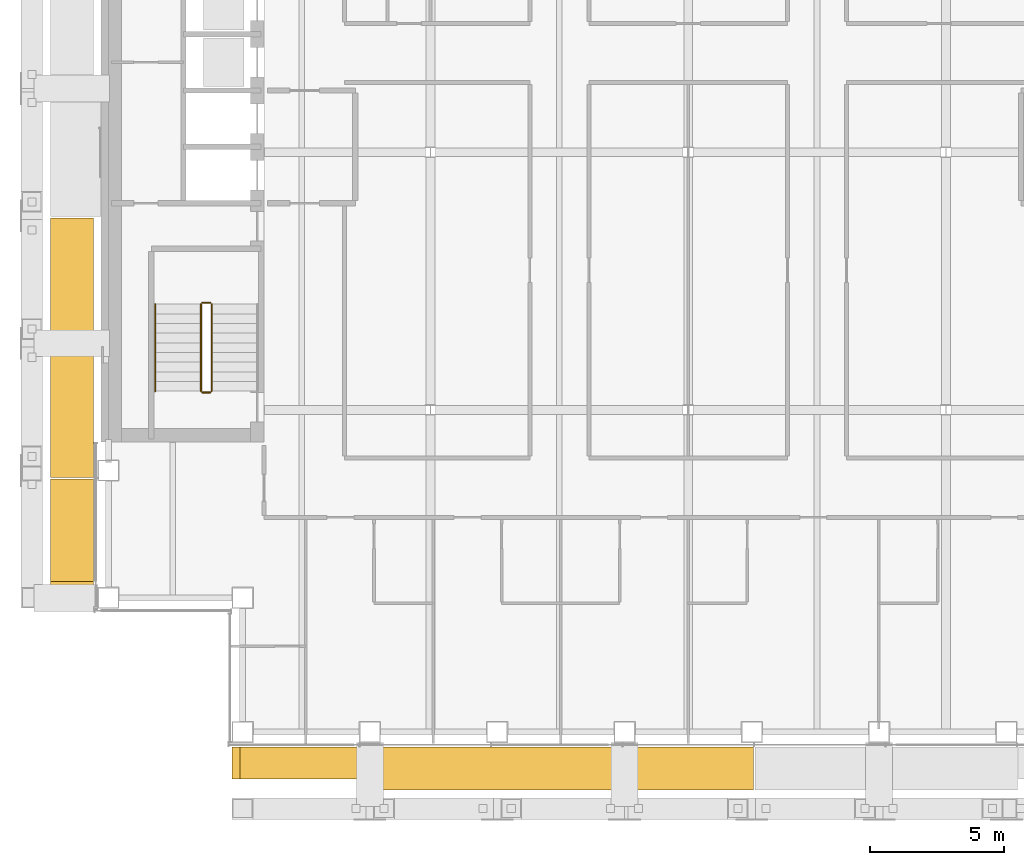
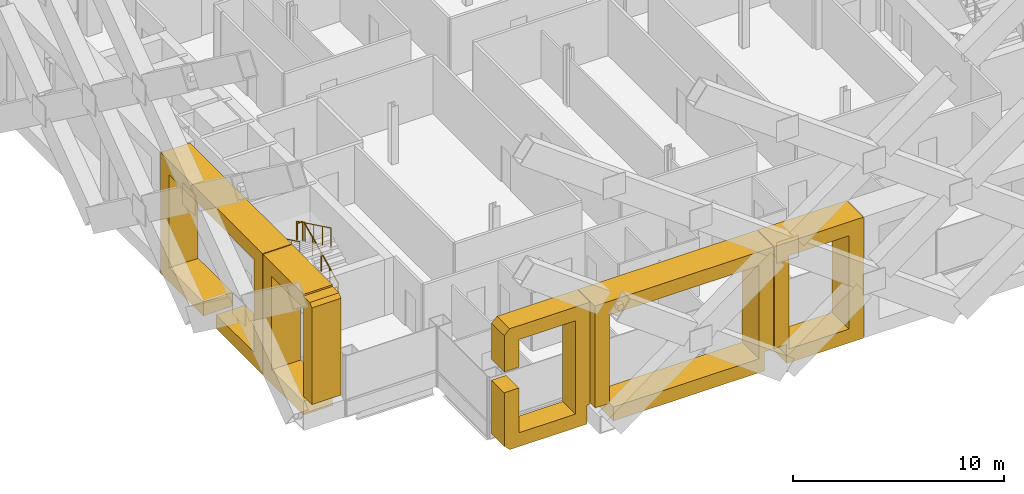
# One storey, part 18 of 25: 5 coverings, 5 railings.
"""IFC4 building model written with IfcOpenShell, lengths in metres."""

from ifc_helpers import new_model, si_unit, direction, frame, origin, origin_2d, place, context, subcontext, project, spatial, polyline, circle, outline, extrude, material, type_object, element, save


model = new_model("IFC4")

# Units and contexts
model_context = context("Model", 3, precision=1e-05, world=origin(), true_north=direction((0.0, 1.0)))
body_context = subcontext(model_context, "Body", "Model", "MODEL_VIEW")
ifc_project = project(units=[si_unit("LENGTHUNIT", "METRE"), si_unit("AREAUNIT", "SQUARE_METRE"), si_unit("VOLUMEUNIT", "CUBIC_METRE"), si_unit("PLANEANGLEUNIT", "RADIAN"), si_unit("MASSUNIT", "GRAM", prefix="KILO")], contexts=[model_context])

# Site, building, storey
site_placement = place(None, origin())
site = spatial("IfcSite", under=ifc_project, at=site_placement, CompositionType="ELEMENT")
building_placement = place(site_placement, origin())
building = spatial("IfcBuilding", under=site, at=building_placement, Name="Cobrizo Arcos Hotel Tower", CompositionType="ELEMENT")
storey_placement = place(building_placement, frame((0.0, 0.0, 148.0)))
storey = spatial("IfcBuildingStorey", under=building, at=storey_placement, Name="L37", CompositionType="ELEMENT", Elevation=148.0)

# Coverings
ifc_material_1 = material(Name="Aluminium 6063-T6 anodised bronze", Category="aluminium")
covering_type_1 = type_object("IfcCoveringType", Name="FIN-F 1200", PredefinedType="CLADDING", material=ifc_material_1)
covering_1_placement = place(storey_placement, frame((-17.0, -22.14990234375, 0.0), z_axis=(0.0, -1.0, 0.0), x_axis=(1.0, 0.0, 0.0)))
element("IfcCovering", 1, at=covering_1_placement, inside=storey, type_object=covering_type_1, Name="Fin frame 231", PredefinedType="CLADDING", context=body_context, shape_type="SweptSolid", body=[
    extrude(outline(polyline([(0.300048828125, 0.0), (4.541015625, 0.0), (4.541015625, 1.10205078125), (4.689208984375, 1.10205078125), (4.689208984375, 7.0), (0.300048828125, 7.0), (0.0, 6.699951171875), (0.0, 4.60205078125), (0.800048828125, 4.60205078125), (0.800048828125, 6.199951171875), (3.889404296875, 6.199951171875), (3.889404296875, 0.800048828125), (0.800048828125, 0.800048828125), (0.800048828125, 3.39794921875), (0.0, 3.39794921875), (0.0, 0.300048828125), (0.300048828125, 0.0)])), origin(), (0.0, 0.0, 1.0), 1.2001953125),
])
covering_type_2 = type_object("IfcCoveringType", Name="FIN-F 1600", PredefinedType="CLADDING", material=ifc_material_1)
covering_2_placement = place(storey_placement, frame((-12.2607421875, -22.14990234375, 0.0), z_axis=(0.0, -1.0, 0.0), x_axis=(1.0, 0.0, 0.0)))
element("IfcCovering", 2, at=covering_2_placement, inside=storey, type_object=covering_type_2, Name="Fin frame 232", PredefinedType="CLADDING", context=body_context, shape_type="SweptSolid", body=[
    extrude(outline(polyline([(1.005615234375, 0.0), (9.287353515625, 0.0), (9.287353515625, 1.10205078125), (9.778564453125, 1.10205078125), (9.778564453125, 7.0), (0.0, 7.0), (0.0, 1.10205078125), (0.800048828125, 1.10205078125), (0.800048828125, 6.199951171875), (8.978515625, 6.199951171875), (8.978515625, 0.800048828125), (1.005615234375, 0.800048828125), (1.005615234375, 0.0)])), origin(), (0.0, 0.0, 1.0), 1.60009765625),
])
covering_3_placement = place(storey_placement, frame((-2.43212890625, -22.14990234375, 0.0), z_axis=(0.0, -1.0, 0.0), x_axis=(1.0, 0.0, 0.0)))
element("IfcCovering", 3, at=covering_3_placement, inside=storey, type_object=covering_type_2, Name="Fin frame 233", PredefinedType="CLADDING", context=body_context, shape_type="SweptSolid", body=[
    extrude(outline(polyline([(0.0, 7.0), (0.0, 1.10205078125), (0.66259765625, 1.10205078125), (0.66259765625, 0.0), (4.8642578125, 0.0), (4.8642578125, 7.0), (0.0, 7.0)]), holes=[polyline([(4.064208984375, 0.800048828125), (0.800048828125, 0.800048828125), (0.800048828125, 6.199951171875), (4.064208984375, 6.199951171875), (4.064208984375, 0.800048828125)])]), origin(), (0.0, 0.0, 1.0), 1.60009765625),
])
covering_4_placement = place(storey_placement, frame((-22.14990234375, -2.45361328125, 0.0), z_axis=(-1.0, 0.0, 0.0), x_axis=(0.0, -1.0, 0.0)))
element("IfcCovering", 4, at=covering_4_placement, inside=storey, type_object=covering_type_2, Name="Fin frame 264", PredefinedType="CLADDING", context=body_context, shape_type="SweptSolid", body=[
    extrude(outline(polyline([(0.0, 0.0), (4.05859375, 0.0), (4.05859375, 0.800048828125), (0.800048828125, 0.800048828125), (0.800048828125, 6.199951171875), (8.8642578125, 6.199951171875), (8.8642578125, 0.800048828125), (5.2626953125, 0.800048828125), (5.2626953125, 0.0), (9.664306640625, 0.0), (9.664306640625, 7.0), (0.0, 7.0), (0.0, 0.0)])), origin(), (0.0, 0.0, 1.0), 1.60009765625),
])
covering_5_placement = place(storey_placement, frame((-22.14990234375, -12.16796875, 0.0), z_axis=(-1.0, 0.0, 0.0), x_axis=(0.0, -1.0, 0.0)))
element("IfcCovering", 5, at=covering_5_placement, inside=storey, type_object=covering_type_2, Name="Fin frame 265", PredefinedType="CLADDING", context=body_context, shape_type="SweptSolid", body=[
    extrude(outline(polyline([(0.0, 0.0), (3.830078125, 0.0), (3.830078125, 0.800048828125), (0.800048828125, 0.800048828125), (0.800048828125, 6.199951171875), (3.83203125, 6.199951171875), (3.83203125, 1.10205078125), (4.632080078125, 1.10205078125), (4.632080078125, 6.699951171875), (4.43408203125, 6.89794921875), (3.830078125, 6.89794921875), (3.830078125, 7.0), (0.0, 7.0), (0.0, 0.0)])), origin(), (0.0, 0.0, 1.0), 1.60009765625),
])

# Railings
ifc_material_2 = material(Name="Stainless steel railing", Category="steel")
railing_type_1 = type_object("IfcRailingType", Name="Stair guard 1100", PredefinedType="GUARDRAIL", material=ifc_material_2)
railing_1_placement = place(storey_placement, frame((-17.75, -8.89990234375, 0.175048828125)))
element("IfcRailing", 6, at=railing_1_placement, inside=storey, type_object=railing_type_1, Name="L37 ST-W stair guard 1", PredefinedType="GUARDRAIL", context=body_context, shape_type="SweptSolid", body=[
    extrude(circle(Radius=0.02392578125, at=origin_2d()), frame((0.0, 0.0, 1.076171875), z_axis=(0.0, 0.899372665325, 0.437182809435), x_axis=(-1.0, 0.0, 0.0)), (0.0, 0.0, 1.0), 3.6025390625),
    extrude(circle(Radius=0.02099609375, at=origin_2d()), origin(), (0.0, 0.0, 1.0), 1.052001953125),
    extrude(circle(Radius=0.02099609375, at=origin_2d()), frame((0.0, 0.81005859375, 0.393798828125)), (0.0, 0.0, 1.0), 1.052001953125),
    extrude(circle(Radius=0.02099609375, at=origin_2d()), frame((0.0, 1.6201171875, 0.78759765625)), (0.0, 0.0, 1.0), 1.052001953125),
    extrude(circle(Radius=0.02099609375, at=origin_2d()), frame((0.0, 2.429931640625, 1.18115234375)), (0.0, 0.0, 1.0), 1.052001953125),
    extrude(circle(Radius=0.02099609375, at=origin_2d()), frame((0.0, 3.239990234375, 1.574951171875)), (0.0, 0.0, 1.0), 1.052001953125),
])
railing_2_placement = place(storey_placement, frame((-17.800048828125, -5.610107421875, 1.75)))
element("IfcRailing", 7, at=railing_2_placement, inside=storey, type_object=railing_type_1, Name="L37 ST-W stair guard 2", PredefinedType="GUARDRAIL", context=body_context, shape_type="SweptSolid", body=[
    extrude(circle(Radius=0.02392578125, at=origin_2d()), frame((0.0, 0.0, 1.076171875), z_axis=(-1.0, 0.0, 0.0), x_axis=(0.0, -1.0, 0.0)), (0.0, 0.0, 1.0), 0.300048828125),
    extrude(circle(Radius=0.02099609375, at=origin_2d()), origin(), (0.0, 0.0, 1.0), 1.052001953125),
    extrude(circle(Radius=0.02099609375, at=origin_2d()), frame((-0.300048828125, 0.0, 0.0)), (0.0, 0.0, 1.0), 1.052001953125),
])
railing_3_placement = place(storey_placement, frame((-18.14990234375, -5.659912109375, 1.925048828125)))
element("IfcRailing", 8, at=railing_3_placement, inside=storey, type_object=railing_type_1, Name="L37 ST-W stair guard 3", PredefinedType="GUARDRAIL", context=body_context, shape_type="SweptSolid", body=[
    extrude(circle(Radius=0.02392578125, at=origin_2d()), frame((0.0, 0.0, 1.076171875), z_axis=(0.0, -0.899372665325, 0.437182809435), x_axis=(1.0, 0.0, 0.0)), (0.0, 0.0, 1.0), 3.6025390625),
    extrude(circle(Radius=0.02099609375, at=origin_2d()), origin(), (0.0, 0.0, 1.0), 1.052001953125),
    extrude(circle(Radius=0.02099609375, at=origin_2d()), frame((0.0, -0.81005859375, 0.393798828125)), (0.0, 0.0, 1.0), 1.052001953125),
    extrude(circle(Radius=0.02099609375, at=origin_2d()), frame((0.0, -1.6201171875, 0.78759765625)), (0.0, 0.0, 1.0), 1.052001953125),
    extrude(circle(Radius=0.02099609375, at=origin_2d()), frame((0.0, -2.429931640625, 1.18115234375)), (0.0, 0.0, 1.0), 1.052001953125),
    extrude(circle(Radius=0.02099609375, at=origin_2d()), frame((0.0, -3.239990234375, 1.574951171875)), (0.0, 0.0, 1.0), 1.052001953125),
])
railing_4_placement = place(storey_placement, frame((-17.800048828125, -8.949951171875, 0.0)))
element("IfcRailing", 9, at=railing_4_placement, inside=storey, type_object=railing_type_1, Name="L37 ST-W stair guard 4", PredefinedType="GUARDRAIL", context=body_context, shape_type="SweptSolid", body=[
    extrude(circle(Radius=0.02392578125, at=origin_2d()), frame((0.0, 0.0, 1.076171875), z_axis=(-1.0, 0.0, 0.0), x_axis=(0.0, -1.0, 0.0)), (0.0, 0.0, 1.0), 0.300048828125),
    extrude(circle(Radius=0.02099609375, at=origin_2d()), origin(), (0.0, 0.0, 1.0), 1.052001953125),
    extrude(circle(Radius=0.02099609375, at=origin_2d()), frame((-0.300048828125, 0.0, 0.0)), (0.0, 0.0, 1.0), 1.052001953125),
])
railing_type_2 = type_object("IfcRailingType", Name="Stair handrail", PredefinedType="HANDRAIL", material=ifc_material_2)
railing_5_placement = place(storey_placement, frame((-19.85009765625, -5.659912109375, 1.925048828125)))
element("IfcRailing", 10, at=railing_5_placement, inside=storey, type_object=railing_type_2, Name="L37 ST-W stair handrail 2", PredefinedType="HANDRAIL", context=body_context, shape_type="SweptSolid", body=[
    extrude(circle(Radius=0.02392578125, at=origin_2d()), frame((0.0, 0.0, 0.8759765625), z_axis=(0.0, -0.899372665325, 0.437182809435), x_axis=(1.0, 0.0, 0.0)), (0.0, 0.0, 1.0), 3.6025390625),
    extrude(circle(Radius=0.02099609375, at=origin_2d()), origin(), (0.0, 0.0, 1.0), 0.851806640625),
    extrude(circle(Radius=0.02099609375, at=origin_2d()), frame((0.0, -0.81005859375, 0.393798828125)), (0.0, 0.0, 1.0), 0.851806640625),
    extrude(circle(Radius=0.02099609375, at=origin_2d()), frame((0.0, -1.6201171875, 0.78759765625)), (0.0, 0.0, 1.0), 0.851806640625),
    extrude(circle(Radius=0.02099609375, at=origin_2d()), frame((0.0, -2.429931640625, 1.18115234375)), (0.0, 0.0, 1.0), 0.851806640625),
    extrude(circle(Radius=0.02099609375, at=origin_2d()), frame((0.0, -3.239990234375, 1.574951171875)), (0.0, 0.0, 1.0), 0.851806640625),
])

save(model, "model.ifc")
